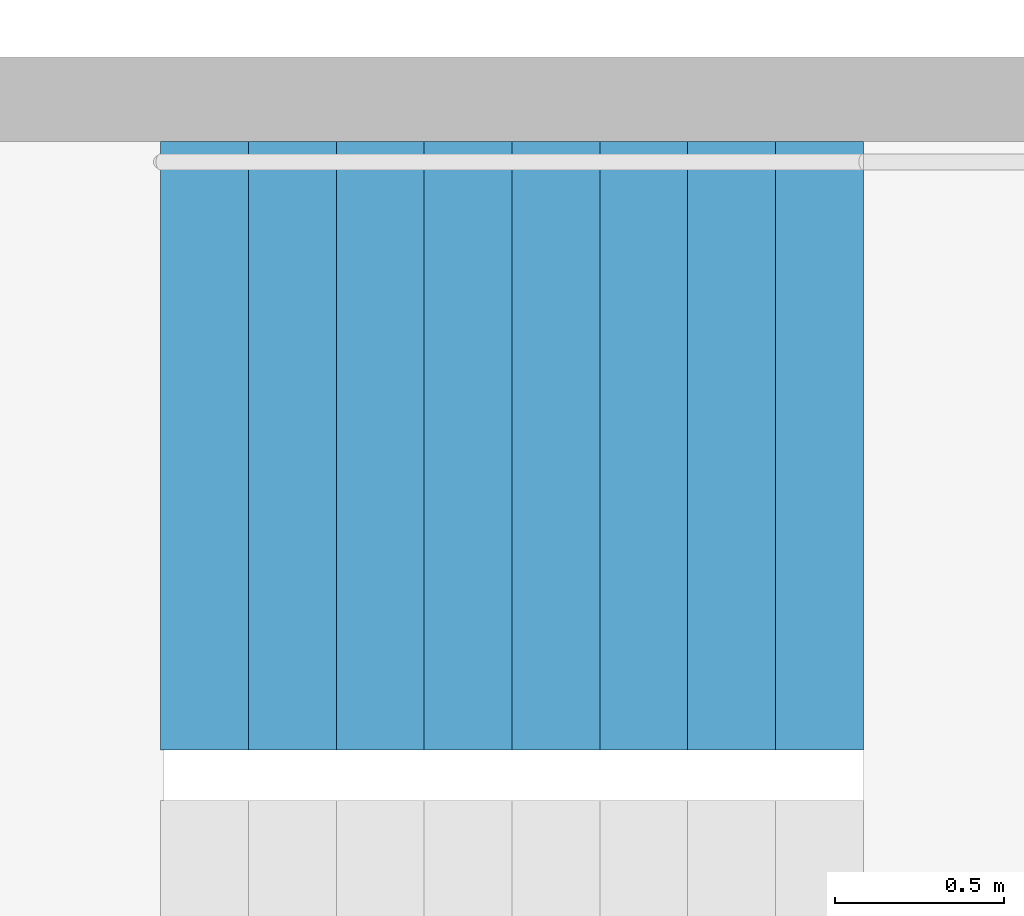
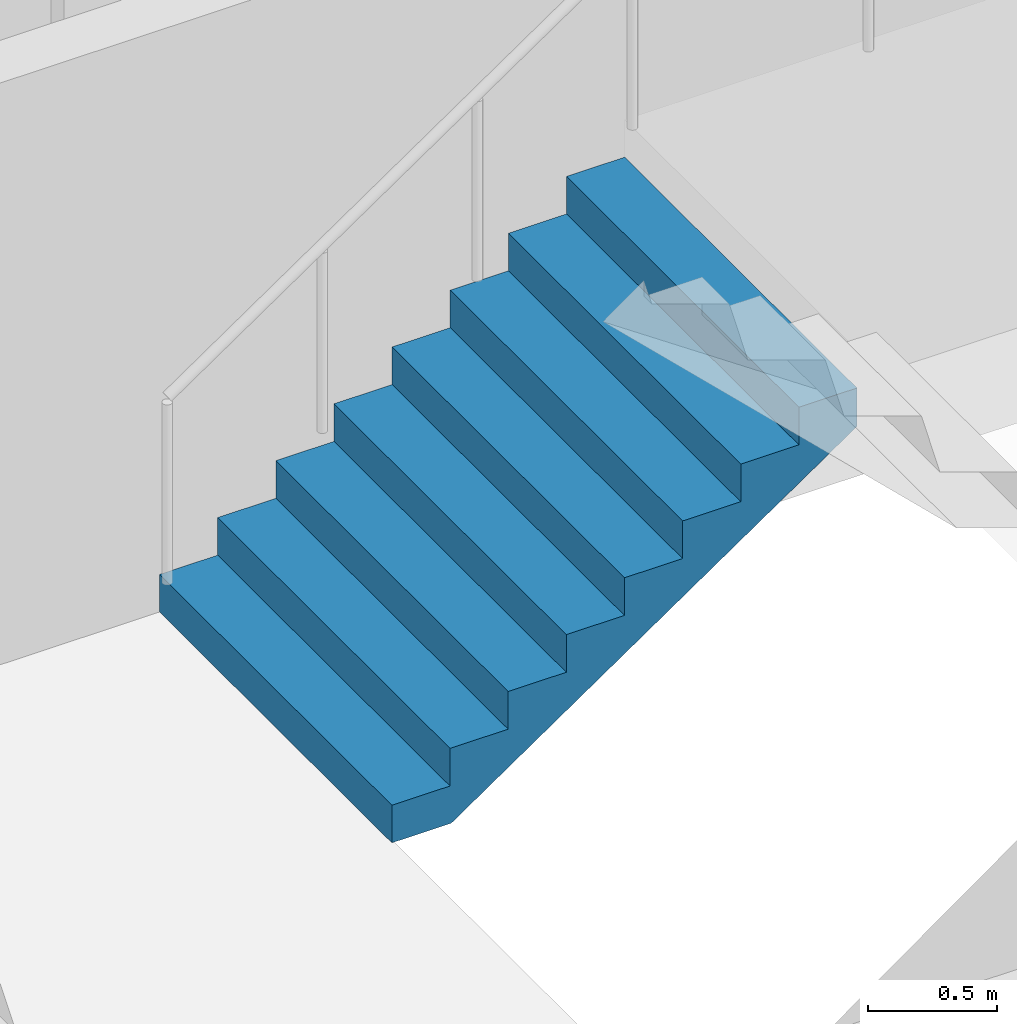
# One storey, part 23 of 26: 1 stair flight, 1 element without a shape of its own.
"""IFC4 building model written with IfcOpenShell, lengths in metres."""

from ifc_helpers import new_model, si_unit, direction, frame, origin, place, context, subcontext, project, spatial, triangles, material, type_object, element, aggregate, save


model = new_model("IFC4")

# Units and contexts
model_context = context("Model", 3, precision=1e-05, world=origin(), true_north=direction((0.0, 1.0)))
body_context = subcontext(model_context, "Body", "Model", "MODEL_VIEW")
ifc_project = project(units=[si_unit("LENGTHUNIT", "METRE"), si_unit("AREAUNIT", "SQUARE_METRE"), si_unit("VOLUMEUNIT", "CUBIC_METRE"), si_unit("PLANEANGLEUNIT", "RADIAN"), si_unit("MASSUNIT", "GRAM", prefix="KILO")], contexts=[model_context])

# Site, building, storey
site_placement = place(None, origin())
site = spatial("IfcSite", under=ifc_project, at=site_placement, CompositionType="ELEMENT")
building_placement = place(site_placement, origin())
building = spatial("IfcBuilding", under=site, at=building_placement, Name="Hakoniwa Tower and Hamabe Station Hall", CompositionType="ELEMENT")
storey_placement = place(building_placement, frame((0.0, 0.0, 209.0)))
storey = spatial("IfcBuildingStorey", under=building, at=storey_placement, Name="L59", CompositionType="ELEMENT", Elevation=209.0)

# Stair, stair flight
ifc_material_1 = material(Name="Concrete C40", Category="concrete")
stair_type = type_object("IfcStairType", Name="ESCAPE STAIR 1800", PredefinedType="HALF_TURN_STAIR", material=ifc_material_1)
stair_placement = place(storey_placement, origin())
stair = element("IfcStair", 1, at=stair_placement, inside=storey, type_object=stair_type, Name="Escape stair ST-4 L59", PredefinedType="HALF_TURN_STAIR")
ifc_material_2 = material(Name="Concrete C40", Category="concrete")
stair_flight_type = type_object("IfcStairFlightType", Name="STAIR FLIGHT 1800", PredefinedType="STRAIGHT", material=ifc_material_2)
stair_flight_placement = place(storey_placement, frame((23.39990234375, -4.64990234375, 0.0), z_axis=(0.0, 0.0, 1.0), x_axis=(1.0, 0.0, 0.0)))
stair_flight = element("IfcStairFlight", 2, at=stair_flight_placement, type_object=stair_flight_type, Name="ST-4 flight 1", NumberOfRisers=9, NumberOfTreads=8, PredefinedType="STRAIGHT", RiserHeight=0.177777778, TreadLength=0.26, context=body_context, shape_type="Tessellation", body=[
    triangles([(0.0, 0.89990234375, 0.0), (0.260009765625, 0.89990234375, 0.0), (0.265625, 0.89990234375, 0.0), (0.52001953125, 0.89990234375, 0.174072265625), (0.780029296875, 0.89990234375, 0.351806640625), (1.0400390625, 0.89990234375, 0.529541015625), (1.300048828125, 0.89990234375, 0.707275390625), (1.56005859375, 0.89990234375, 0.885009765625), (1.820068359375, 0.89990234375, 1.062744140625), (2.080078125, 0.89990234375, 1.24072265625), (2.080078125, 0.89990234375, 1.422119140625), (1.820068359375, 0.89990234375, 1.422119140625), (1.820068359375, 0.89990234375, 1.244384765625), (1.56005859375, 0.89990234375, 1.244384765625), (1.56005859375, 0.89990234375, 1.066650390625), (1.300048828125, 0.89990234375, 1.066650390625), (1.300048828125, 0.89990234375, 0.888916015625), (1.0400390625, 0.89990234375, 0.888916015625), (1.0400390625, 0.89990234375, 0.711181640625), (0.780029296875, 0.89990234375, 0.711181640625), (0.780029296875, 0.89990234375, 0.533447265625), (0.52001953125, 0.89990234375, 0.533447265625), (0.52001953125, 0.89990234375, 0.35546875), (0.265625, 0.89990234375, 0.35546875), (0.260009765625, 0.89990234375, 0.35546875), (0.260009765625, 0.89990234375, 0.177734375), (0.0, 0.89990234375, 0.177734375), (0.0, 0.06005859375, 0.0), (0.260009765625, 0.06005859375, 0.0), (0.265625, 0.06005859375, 0.0), (0.52001953125, 0.06005859375, 0.174072265625), (0.780029296875, 0.06005859375, 0.351806640625), (1.0400390625, 0.06005859375, 0.529541015625), (1.300048828125, 0.06005859375, 0.707275390625), (1.56005859375, 0.06005859375, 0.885009765625), (1.820068359375, 0.06005859375, 1.062744140625), (2.080078125, 0.06005859375, 1.24072265625), (2.080078125, 0.06005859375, 1.422119140625), (1.820068359375, 0.06005859375, 1.422119140625), (1.820068359375, 0.06005859375, 1.244384765625), (1.56005859375, 0.06005859375, 1.244384765625), (1.56005859375, 0.06005859375, 1.066650390625), (1.300048828125, 0.06005859375, 1.066650390625), (1.300048828125, 0.06005859375, 0.888916015625), (1.0400390625, 0.06005859375, 0.888916015625), (1.0400390625, 0.06005859375, 0.711181640625), (0.780029296875, 0.06005859375, 0.711181640625), (0.780029296875, 0.06005859375, 0.533447265625), (0.52001953125, 0.06005859375, 0.533447265625), (0.52001953125, 0.06005859375, 0.35546875), (0.265625, 0.06005859375, 0.35546875), (0.260009765625, 0.06005859375, 0.35546875), (0.260009765625, 0.06005859375, 0.177734375), (0.0, 0.06005859375, 0.177734375), (0.0, 0.04296875, 0.0), (0.260009765625, 0.04296875, 0.0), (0.265625, 0.04296875, 0.0), (0.52001953125, 0.04296875, 0.174072265625), (0.780029296875, 0.04296875, 0.351806640625), (1.0400390625, 0.04296875, 0.529541015625), (1.300048828125, 0.04296875, 0.707275390625), (1.56005859375, 0.04296875, 0.885009765625), (1.820068359375, 0.04296875, 1.062744140625), (2.080078125, 0.04296875, 1.24072265625), (2.080078125, 0.04296875, 1.422119140625), (1.820068359375, 0.04296875, 1.422119140625), (1.820068359375, 0.04296875, 1.244384765625), (1.56005859375, 0.04296875, 1.244384765625), (1.56005859375, 0.04296875, 1.066650390625), (1.300048828125, 0.04296875, 1.066650390625), (1.300048828125, 0.04296875, 0.888916015625), (1.0400390625, 0.04296875, 0.888916015625), (1.0400390625, 0.04296875, 0.711181640625), (0.780029296875, 0.04296875, 0.711181640625), (0.780029296875, 0.04296875, 0.533447265625), (0.52001953125, 0.04296875, 0.533447265625), (0.52001953125, 0.04296875, 0.35546875), (0.265625, 0.04296875, 0.35546875), (0.260009765625, 0.04296875, 0.35546875), (0.260009765625, 0.04296875, 0.177734375), (0.0, 0.04296875, 0.177734375), (0.0, 0.025634765625, 0.0), (0.260009765625, 0.025634765625, 0.0), (0.265625, 0.025634765625, 0.0), (0.52001953125, 0.025634765625, 0.174072265625), (0.780029296875, 0.025634765625, 0.351806640625), (1.0400390625, 0.025634765625, 0.529541015625), (1.300048828125, 0.025634765625, 0.707275390625), (1.56005859375, 0.025634765625, 0.885009765625), (1.820068359375, 0.025634765625, 1.062744140625), (2.080078125, 0.025634765625, 1.24072265625), (2.080078125, 0.025634765625, 1.422119140625), (1.820068359375, 0.025634765625, 1.422119140625), (1.820068359375, 0.025634765625, 1.244384765625), (1.56005859375, 0.025634765625, 1.244384765625), (1.56005859375, 0.025634765625, 1.066650390625), (1.300048828125, 0.025634765625, 1.066650390625), (1.300048828125, 0.025634765625, 0.888916015625), (1.0400390625, 0.025634765625, 0.888916015625), (1.0400390625, 0.025634765625, 0.711181640625), (0.780029296875, 0.025634765625, 0.711181640625), (0.780029296875, 0.025634765625, 0.533447265625), (0.52001953125, 0.025634765625, 0.533447265625), (0.52001953125, 0.025634765625, 0.35546875), (0.265625, 0.025634765625, 0.35546875), (0.260009765625, 0.025634765625, 0.35546875), (0.260009765625, 0.025634765625, 0.177734375), (0.0, 0.025634765625, 0.177734375), (0.0, 0.008544921875, 0.0), (0.260009765625, 0.008544921875, 0.0), (0.265625, 0.008544921875, 0.0), (0.52001953125, 0.008544921875, 0.174072265625), (0.780029296875, 0.008544921875, 0.351806640625), (1.0400390625, 0.008544921875, 0.529541015625), (1.300048828125, 0.008544921875, 0.707275390625), (1.56005859375, 0.008544921875, 0.885009765625), (1.820068359375, 0.008544921875, 1.062744140625), (2.080078125, 0.008544921875, 1.24072265625), (2.080078125, 0.008544921875, 1.422119140625), (1.820068359375, 0.008544921875, 1.422119140625), (1.820068359375, 0.008544921875, 1.244384765625), (1.56005859375, 0.008544921875, 1.244384765625), (1.56005859375, 0.008544921875, 1.066650390625), (1.300048828125, 0.008544921875, 1.066650390625), (1.300048828125, 0.008544921875, 0.888916015625), (1.0400390625, 0.008544921875, 0.888916015625), (1.0400390625, 0.008544921875, 0.711181640625), (0.780029296875, 0.008544921875, 0.711181640625), (0.780029296875, 0.008544921875, 0.533447265625), (0.52001953125, 0.008544921875, 0.533447265625), (0.52001953125, 0.008544921875, 0.35546875), (0.265625, 0.008544921875, 0.35546875), (0.260009765625, 0.008544921875, 0.35546875), (0.260009765625, 0.008544921875, 0.177734375), (0.0, 0.008544921875, 0.177734375), (0.0, -0.008544921875, 0.0), (0.260009765625, -0.008544921875, 0.0), (0.265625, -0.008544921875, 0.0), (0.52001953125, -0.008544921875, 0.174072265625), (0.780029296875, -0.008544921875, 0.351806640625), (1.0400390625, -0.008544921875, 0.529541015625), (1.300048828125, -0.008544921875, 0.707275390625), (1.56005859375, -0.008544921875, 0.885009765625), (1.820068359375, -0.008544921875, 1.062744140625), (2.080078125, -0.008544921875, 1.24072265625), (2.080078125, -0.008544921875, 1.422119140625), (1.820068359375, -0.008544921875, 1.422119140625), (1.820068359375, -0.008544921875, 1.244384765625), (1.56005859375, -0.008544921875, 1.244384765625), (1.56005859375, -0.008544921875, 1.066650390625), (1.300048828125, -0.008544921875, 1.066650390625), (1.300048828125, -0.008544921875, 0.888916015625), (1.0400390625, -0.008544921875, 0.888916015625), (1.0400390625, -0.008544921875, 0.711181640625), (0.780029296875, -0.008544921875, 0.711181640625), (0.780029296875, -0.008544921875, 0.533447265625), (0.52001953125, -0.008544921875, 0.533447265625), (0.52001953125, -0.008544921875, 0.35546875), (0.265625, -0.008544921875, 0.35546875), (0.260009765625, -0.008544921875, 0.35546875), (0.260009765625, -0.008544921875, 0.177734375), (0.0, -0.008544921875, 0.177734375), (0.0, -0.025634765625, 0.0), (0.260009765625, -0.025634765625, 0.0), (0.265625, -0.025634765625, 0.0), (0.52001953125, -0.025634765625, 0.174072265625), (0.780029296875, -0.025634765625, 0.351806640625), (1.0400390625, -0.025634765625, 0.529541015625), (1.300048828125, -0.025634765625, 0.707275390625), (1.56005859375, -0.025634765625, 0.885009765625), (1.820068359375, -0.025634765625, 1.062744140625), (2.080078125, -0.025634765625, 1.24072265625), (2.080078125, -0.025634765625, 1.422119140625), (1.820068359375, -0.025634765625, 1.422119140625), (1.820068359375, -0.025634765625, 1.244384765625), (1.56005859375, -0.025634765625, 1.244384765625), (1.56005859375, -0.025634765625, 1.066650390625), (1.300048828125, -0.025634765625, 1.066650390625), (1.300048828125, -0.025634765625, 0.888916015625), (1.0400390625, -0.025634765625, 0.888916015625), (1.0400390625, -0.025634765625, 0.711181640625), (0.780029296875, -0.025634765625, 0.711181640625), (0.780029296875, -0.025634765625, 0.533447265625), (0.52001953125, -0.025634765625, 0.533447265625), (0.52001953125, -0.025634765625, 0.35546875), (0.265625, -0.025634765625, 0.35546875), (0.260009765625, -0.025634765625, 0.35546875), (0.260009765625, -0.025634765625, 0.177734375), (0.0, -0.025634765625, 0.177734375), (0.0, -0.04296875, 0.0), (0.260009765625, -0.04296875, 0.0), (0.265625, -0.04296875, 0.0), (0.52001953125, -0.04296875, 0.174072265625), (0.780029296875, -0.04296875, 0.351806640625), (1.0400390625, -0.04296875, 0.529541015625), (1.300048828125, -0.04296875, 0.707275390625), (1.56005859375, -0.04296875, 0.885009765625), (1.820068359375, -0.04296875, 1.062744140625), (2.080078125, -0.04296875, 1.24072265625), (2.080078125, -0.04296875, 1.422119140625), (1.820068359375, -0.04296875, 1.422119140625), (1.820068359375, -0.04296875, 1.244384765625), (1.56005859375, -0.04296875, 1.244384765625), (1.56005859375, -0.04296875, 1.066650390625), (1.300048828125, -0.04296875, 1.066650390625), (1.300048828125, -0.04296875, 0.888916015625), (1.0400390625, -0.04296875, 0.888916015625), (1.0400390625, -0.04296875, 0.711181640625), (0.780029296875, -0.04296875, 0.711181640625), (0.780029296875, -0.04296875, 0.533447265625), (0.52001953125, -0.04296875, 0.533447265625), (0.52001953125, -0.04296875, 0.35546875), (0.265625, -0.04296875, 0.35546875), (0.260009765625, -0.04296875, 0.35546875), (0.260009765625, -0.04296875, 0.177734375), (0.0, -0.04296875, 0.177734375), (0.0, -0.06005859375, 0.0), (0.260009765625, -0.06005859375, 0.0), (0.265625, -0.06005859375, 0.0), (0.52001953125, -0.06005859375, 0.174072265625), (0.780029296875, -0.06005859375, 0.351806640625), (1.0400390625, -0.06005859375, 0.529541015625), (1.300048828125, -0.06005859375, 0.707275390625), (1.56005859375, -0.06005859375, 0.885009765625), (1.820068359375, -0.06005859375, 1.062744140625), (2.080078125, -0.06005859375, 1.24072265625), (2.080078125, -0.06005859375, 1.422119140625), (1.820068359375, -0.06005859375, 1.422119140625), (1.820068359375, -0.06005859375, 1.244384765625), (1.56005859375, -0.06005859375, 1.244384765625), (1.56005859375, -0.06005859375, 1.066650390625), (1.300048828125, -0.06005859375, 1.066650390625), (1.300048828125, -0.06005859375, 0.888916015625), (1.0400390625, -0.06005859375, 0.888916015625), (1.0400390625, -0.06005859375, 0.711181640625), (0.780029296875, -0.06005859375, 0.711181640625), (0.780029296875, -0.06005859375, 0.533447265625), (0.52001953125, -0.06005859375, 0.533447265625), (0.52001953125, -0.06005859375, 0.35546875), (0.265625, -0.06005859375, 0.35546875), (0.260009765625, -0.06005859375, 0.35546875), (0.260009765625, -0.06005859375, 0.177734375), (0.0, -0.06005859375, 0.177734375), (0.0, -0.89990234375, 0.0), (0.260009765625, -0.89990234375, 0.0), (0.265625, -0.89990234375, 0.0), (0.52001953125, -0.89990234375, 0.174072265625), (0.780029296875, -0.89990234375, 0.351806640625), (1.0400390625, -0.89990234375, 0.529541015625), (1.300048828125, -0.89990234375, 0.707275390625), (1.56005859375, -0.89990234375, 0.885009765625), (1.820068359375, -0.89990234375, 1.062744140625), (2.080078125, -0.89990234375, 1.24072265625), (2.080078125, -0.89990234375, 1.422119140625), (1.820068359375, -0.89990234375, 1.422119140625), (1.820068359375, -0.89990234375, 1.244384765625), (1.56005859375, -0.89990234375, 1.244384765625), (1.56005859375, -0.89990234375, 1.066650390625), (1.300048828125, -0.89990234375, 1.066650390625), (1.300048828125, -0.89990234375, 0.888916015625), (1.0400390625, -0.89990234375, 0.888916015625), (1.0400390625, -0.89990234375, 0.711181640625), (0.780029296875, -0.89990234375, 0.711181640625), (0.780029296875, -0.89990234375, 0.533447265625), (0.52001953125, -0.89990234375, 0.533447265625), (0.52001953125, -0.89990234375, 0.35546875), (0.265625, -0.89990234375, 0.35546875), (0.260009765625, -0.89990234375, 0.35546875), (0.260009765625, -0.89990234375, 0.177734375), (0.0, -0.89990234375, 0.177734375)], [[2, 27, 26], [245, 269, 270], [2, 1, 27], [245, 270, 244], [3, 25, 24], [246, 267, 268], [3, 26, 25], [246, 268, 269], [3, 2, 26], [246, 269, 245], [4, 24, 23], [247, 266, 267], [4, 3, 24], [247, 267, 246], [5, 22, 21], [248, 264, 265], [5, 23, 22], [248, 265, 266], [5, 4, 23], [248, 266, 247], [6, 20, 19], [249, 262, 263], [6, 21, 20], [249, 263, 264], [6, 5, 21], [249, 264, 248], [7, 18, 17], [250, 260, 261], [7, 19, 18], [250, 261, 262], [7, 6, 19], [250, 262, 249], [8, 16, 15], [251, 258, 259], [8, 17, 16], [251, 259, 260], [8, 7, 17], [251, 260, 250], [9, 14, 13], [252, 256, 257], [9, 15, 14], [252, 257, 258], [9, 8, 15], [252, 258, 251], [10, 12, 11], [253, 254, 255], [10, 13, 12], [253, 255, 256], [10, 9, 13], [253, 256, 252], [1, 2, 29], [1, 29, 28], [28, 29, 56], [28, 56, 55], [55, 56, 83], [55, 83, 82], [82, 83, 110], [82, 110, 109], [109, 110, 137], [109, 137, 136], [136, 137, 164], [136, 164, 163], [163, 164, 191], [163, 191, 190], [190, 191, 218], [190, 218, 217], [217, 218, 245], [217, 245, 244], [2, 3, 30], [2, 30, 29], [29, 30, 57], [29, 57, 56], [56, 57, 84], [56, 84, 83], [83, 84, 111], [83, 111, 110], [110, 111, 138], [110, 138, 137], [137, 138, 165], [137, 165, 164], [164, 165, 192], [164, 192, 191], [191, 192, 219], [191, 219, 218], [218, 219, 246], [218, 246, 245], [3, 4, 31], [3, 31, 30], [30, 31, 58], [30, 58, 57], [57, 58, 85], [57, 85, 84], [84, 85, 112], [84, 112, 111], [111, 112, 139], [111, 139, 138], [138, 139, 166], [138, 166, 165], [165, 166, 193], [165, 193, 192], [192, 193, 220], [192, 220, 219], [219, 220, 247], [219, 247, 246], [4, 5, 32], [4, 32, 31], [31, 32, 59], [31, 59, 58], [58, 59, 86], [58, 86, 85], [85, 86, 113], [85, 113, 112], [112, 113, 140], [112, 140, 139], [139, 140, 167], [139, 167, 166], [166, 167, 194], [166, 194, 193], [193, 194, 221], [193, 221, 220], [220, 221, 248], [220, 248, 247], [5, 6, 33], [5, 33, 32], [32, 33, 60], [32, 60, 59], [59, 60, 87], [59, 87, 86], [86, 87, 114], [86, 114, 113], [113, 114, 141], [113, 141, 140], [140, 141, 168], [140, 168, 167], [167, 168, 195], [167, 195, 194], [194, 195, 222], [194, 222, 221], [221, 222, 249], [221, 249, 248], [6, 7, 34], [6, 34, 33], [33, 34, 61], [33, 61, 60], [60, 61, 88], [60, 88, 87], [87, 88, 115], [87, 115, 114], [114, 115, 142], [114, 142, 141], [141, 142, 169], [141, 169, 168], [168, 169, 196], [168, 196, 195], [195, 196, 223], [195, 223, 222], [222, 223, 250], [222, 250, 249], [7, 8, 35], [7, 35, 34], [34, 35, 62], [34, 62, 61], [61, 62, 89], [61, 89, 88], [88, 89, 116], [88, 116, 115], [115, 116, 143], [115, 143, 142], [142, 143, 170], [142, 170, 169], [169, 170, 197], [169, 197, 196], [196, 197, 224], [196, 224, 223], [223, 224, 251], [223, 251, 250], [8, 9, 36], [8, 36, 35], [35, 36, 63], [35, 63, 62], [62, 63, 90], [62, 90, 89], [89, 90, 117], [89, 117, 116], [116, 117, 144], [116, 144, 143], [143, 144, 171], [143, 171, 170], [170, 171, 198], [170, 198, 197], [197, 198, 225], [197, 225, 224], [224, 225, 252], [224, 252, 251], [9, 10, 37], [9, 37, 36], [36, 37, 64], [36, 64, 63], [63, 64, 91], [63, 91, 90], [90, 91, 118], [90, 118, 117], [117, 118, 145], [117, 145, 144], [144, 145, 172], [144, 172, 171], [171, 172, 199], [171, 199, 198], [198, 199, 226], [198, 226, 225], [225, 226, 253], [225, 253, 252], [10, 11, 38], [10, 38, 37], [37, 38, 65], [37, 65, 64], [64, 65, 92], [64, 92, 91], [91, 92, 119], [91, 119, 118], [118, 119, 146], [118, 146, 145], [145, 146, 173], [145, 173, 172], [172, 173, 200], [172, 200, 199], [199, 200, 227], [199, 227, 226], [226, 227, 254], [226, 254, 253], [11, 12, 39], [11, 39, 38], [38, 39, 66], [38, 66, 65], [65, 66, 93], [65, 93, 92], [92, 93, 120], [92, 120, 119], [119, 120, 147], [119, 147, 146], [146, 147, 174], [146, 174, 173], [173, 174, 201], [173, 201, 200], [200, 201, 228], [200, 228, 227], [227, 228, 255], [227, 255, 254], [12, 13, 40], [12, 40, 39], [39, 40, 67], [39, 67, 66], [66, 67, 94], [66, 94, 93], [93, 94, 121], [93, 121, 120], [120, 121, 148], [120, 148, 147], [147, 148, 175], [147, 175, 174], [174, 175, 202], [174, 202, 201], [201, 202, 229], [201, 229, 228], [228, 229, 256], [228, 256, 255], [13, 14, 41], [13, 41, 40], [40, 41, 68], [40, 68, 67], [67, 68, 95], [67, 95, 94], [94, 95, 122], [94, 122, 121], [121, 122, 149], [121, 149, 148], [148, 149, 176], [148, 176, 175], [175, 176, 203], [175, 203, 202], [202, 203, 230], [202, 230, 229], [229, 230, 257], [229, 257, 256], [14, 15, 42], [14, 42, 41], [41, 42, 69], [41, 69, 68], [68, 69, 96], [68, 96, 95], [95, 96, 123], [95, 123, 122], [122, 123, 150], [122, 150, 149], [149, 150, 177], [149, 177, 176], [176, 177, 204], [176, 204, 203], [203, 204, 231], [203, 231, 230], [230, 231, 258], [230, 258, 257], [15, 16, 43], [15, 43, 42], [42, 43, 70], [42, 70, 69], [69, 70, 97], [69, 97, 96], [96, 97, 124], [96, 124, 123], [123, 124, 151], [123, 151, 150], [150, 151, 178], [150, 178, 177], [177, 178, 205], [177, 205, 204], [204, 205, 232], [204, 232, 231], [231, 232, 259], [231, 259, 258], [16, 17, 44], [16, 44, 43], [43, 44, 71], [43, 71, 70], [70, 71, 98], [70, 98, 97], [97, 98, 125], [97, 125, 124], [124, 125, 152], [124, 152, 151], [151, 152, 179], [151, 179, 178], [178, 179, 206], [178, 206, 205], [205, 206, 233], [205, 233, 232], [232, 233, 260], [232, 260, 259], [17, 18, 45], [17, 45, 44], [44, 45, 72], [44, 72, 71], [71, 72, 99], [71, 99, 98], [98, 99, 126], [98, 126, 125], [125, 126, 153], [125, 153, 152], [152, 153, 180], [152, 180, 179], [179, 180, 207], [179, 207, 206], [206, 207, 234], [206, 234, 233], [233, 234, 261], [233, 261, 260], [18, 19, 46], [18, 46, 45], [45, 46, 73], [45, 73, 72], [72, 73, 100], [72, 100, 99], [99, 100, 127], [99, 127, 126], [126, 127, 154], [126, 154, 153], [153, 154, 181], [153, 181, 180], [180, 181, 208], [180, 208, 207], [207, 208, 235], [207, 235, 234], [234, 235, 262], [234, 262, 261], [19, 20, 47], [19, 47, 46], [46, 47, 74], [46, 74, 73], [73, 74, 101], [73, 101, 100], [100, 101, 128], [100, 128, 127], [127, 128, 155], [127, 155, 154], [154, 155, 182], [154, 182, 181], [181, 182, 209], [181, 209, 208], [208, 209, 236], [208, 236, 235], [235, 236, 263], [235, 263, 262], [20, 21, 48], [20, 48, 47], [47, 48, 75], [47, 75, 74], [74, 75, 102], [74, 102, 101], [101, 102, 129], [101, 129, 128], [128, 129, 156], [128, 156, 155], [155, 156, 183], [155, 183, 182], [182, 183, 210], [182, 210, 209], [209, 210, 237], [209, 237, 236], [236, 237, 264], [236, 264, 263], [21, 22, 49], [21, 49, 48], [48, 49, 76], [48, 76, 75], [75, 76, 103], [75, 103, 102], [102, 103, 130], [102, 130, 129], [129, 130, 157], [129, 157, 156], [156, 157, 184], [156, 184, 183], [183, 184, 211], [183, 211, 210], [210, 211, 238], [210, 238, 237], [237, 238, 265], [237, 265, 264], [22, 23, 50], [22, 50, 49], [49, 50, 77], [49, 77, 76], [76, 77, 104], [76, 104, 103], [103, 104, 131], [103, 131, 130], [130, 131, 158], [130, 158, 157], [157, 158, 185], [157, 185, 184], [184, 185, 212], [184, 212, 211], [211, 212, 239], [211, 239, 238], [238, 239, 266], [238, 266, 265], [23, 24, 51], [23, 51, 50], [50, 51, 78], [50, 78, 77], [77, 78, 105], [77, 105, 104], [104, 105, 132], [104, 132, 131], [131, 132, 159], [131, 159, 158], [158, 159, 186], [158, 186, 185], [185, 186, 213], [185, 213, 212], [212, 213, 240], [212, 240, 239], [239, 240, 267], [239, 267, 266], [24, 25, 52], [24, 52, 51], [51, 52, 79], [51, 79, 78], [78, 79, 106], [78, 106, 105], [105, 106, 133], [105, 133, 132], [132, 133, 160], [132, 160, 159], [159, 160, 187], [159, 187, 186], [186, 187, 214], [186, 214, 213], [213, 214, 241], [213, 241, 240], [240, 241, 268], [240, 268, 267], [25, 26, 53], [25, 53, 52], [52, 53, 80], [52, 80, 79], [79, 80, 107], [79, 107, 106], [106, 107, 134], [106, 134, 133], [133, 134, 161], [133, 161, 160], [160, 161, 188], [160, 188, 187], [187, 188, 215], [187, 215, 214], [214, 215, 242], [214, 242, 241], [241, 242, 269], [241, 269, 268], [26, 27, 54], [26, 54, 53], [53, 54, 81], [53, 81, 80], [80, 81, 108], [80, 108, 107], [107, 108, 135], [107, 135, 134], [134, 135, 162], [134, 162, 161], [161, 162, 189], [161, 189, 188], [188, 189, 216], [188, 216, 215], [215, 216, 243], [215, 243, 242], [242, 243, 270], [242, 270, 269], [27, 1, 28], [27, 28, 54], [54, 28, 55], [54, 55, 81], [81, 55, 82], [81, 82, 108], [108, 82, 109], [108, 109, 135], [135, 109, 136], [135, 136, 162], [162, 136, 163], [162, 163, 189], [189, 163, 190], [189, 190, 216], [216, 190, 217], [216, 217, 243], [243, 217, 244], [243, 244, 270]], closed=True),
])
aggregate(stair, [stair_flight])

save(model, "model.ifc")
